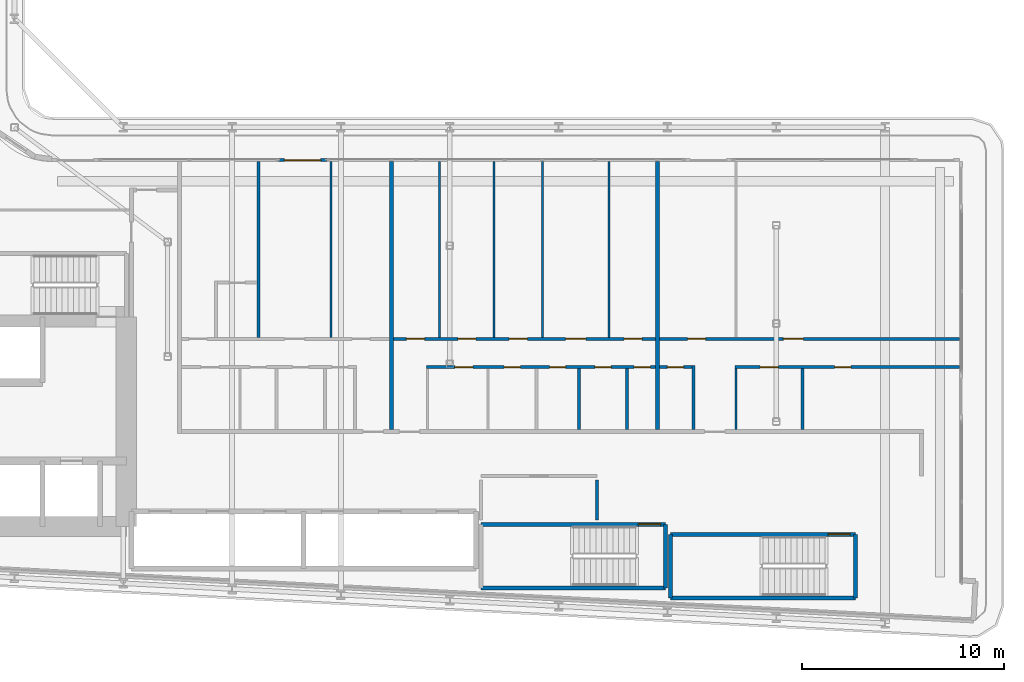
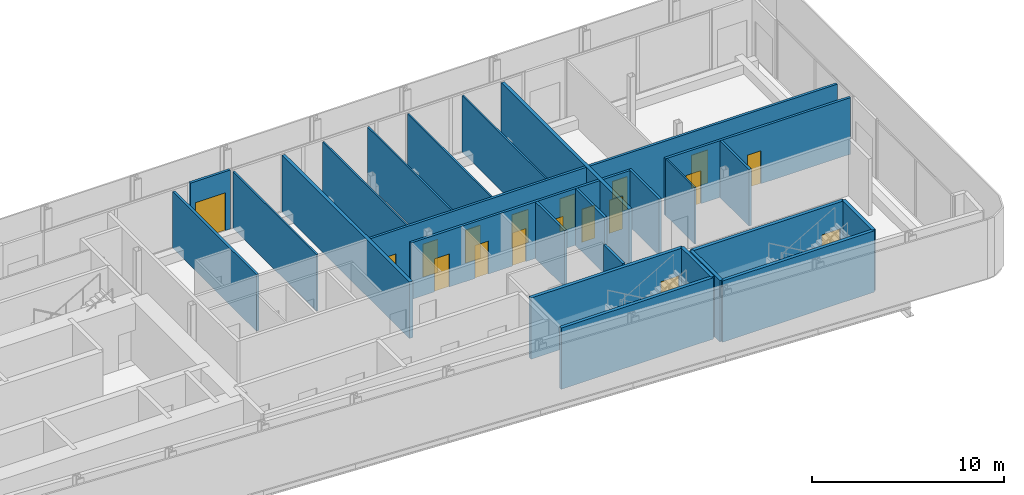
# One storey, part 15 of 28: 27 walls, 18 doors, 18 openings.
"""IFC4 building model written with IfcOpenShell, lengths in metres."""

import ifcopenshell
import ifcopenshell.guid

model = None  # the IFC model being written
_history = None  # IfcOwnerHistory: only IFC2X3 demands one
_inside = {}  # id of a spatial element -> (the spatial element, [elements in it])
_under = {}  # id of a project, library or spatial element -> (it, [spatial elements below it])
_declared = {}  # id of a project -> (the project, [libraries it declares])
_typed = {}  # id of a type object -> (the type object, [elements of that type])
_made_of = {}  # id of a material, layer set ... -> (it, [elements and type objects made of it])


def new_model(schema):
    """Start an empty IFC model of exactly this schema.

    Asked for "IFC4X3", IfcOpenShell would pick the latest addendum, in which some entities
    have other attributes; the version numbers below select the first issue.
    IFC2X3 requires an IfcOwnerHistory on every rooted entity: one is made here for all.
    """
    global model, _history
    if schema == "IFC4X3":
        model = ifcopenshell.file(schema_version=(4, 3, 0, 0))
    else:
        model = ifcopenshell.file(schema=schema)
    _inside.clear()
    _under.clear()
    _declared.clear()
    _typed.clear()
    _made_of.clear()
    _history = None
    if model.schema == "IFC2X3":
        org = make("IfcOrganization", Name="unknown")
        user = make(
            "IfcPersonAndOrganization",
            ThePerson=make("IfcPerson", FamilyName="unknown"),
            TheOrganization=org,
        )
        app = make(
            "IfcApplication",
            ApplicationDeveloper=org,
            Version="unknown",
            ApplicationFullName="unknown",
            ApplicationIdentifier="unknown",
        )
        _history = make(
            "IfcOwnerHistory",
            OwningUser=user,
            OwningApplication=app,
            ChangeAction="ADDED",
            CreationDate=0,
        )
    return model


def make(cls, **values):
    """One entity of the class cls with the attributes given. An attribute that is None is left unset."""
    return model.create_entity(
        cls, **{name: value for name, value in values.items() if value is not None}
    )


def rooted(cls, **values):
    """An entity with a GlobalId (a new one), such as an element, a storey or a relation."""
    return make(cls, GlobalId=ifcopenshell.guid.new(), OwnerHistory=_history, **values)


def si_unit(unit_type, name, prefix=None):
    """IfcSIUnit, for example si_unit("LENGTHUNIT", "METRE", prefix="MILLI")."""
    return make("IfcSIUnit", UnitType=unit_type, Prefix=prefix, Name=name)


def assignment(units):
    """IfcUnitAssignment: the units of a project."""
    return None if units is None else make("IfcUnitAssignment", Units=units)


def point(xyz):
    """IfcCartesianPoint."""
    return None if xyz is None else make("IfcCartesianPoint", Coordinates=xyz)


def direction(xyz):
    """IfcDirection."""
    return None if xyz is None else make("IfcDirection", DirectionRatios=xyz)


def frame(location, z_axis=None, x_axis=None):
    """IfcAxis2Placement3D, a coordinate frame: its origin and axes. An axis left out is left unset."""
    return make(
        "IfcAxis2Placement3D",
        Location=point(location),
        Axis=direction(z_axis),
        RefDirection=direction(x_axis),
    )


def frame_2d(location, x_axis=None):
    """IfcAxis2Placement2D, a coordinate frame in the plane: its origin and x axis."""
    return make(
        "IfcAxis2Placement2D", Location=point(location), RefDirection=direction(x_axis)
    )


def origin():
    """The frame at (0, 0, 0) with its axes left unset."""
    return frame((0.0, 0.0, 0.0))


def place(relative_to, where):
    """IfcLocalPlacement: puts the frame where relative to a parent placement (None: the world)."""
    return make(
        "IfcLocalPlacement", PlacementRelTo=relative_to, RelativePlacement=where
    )


def context(
    kind, dimensions, precision=None, world=None, true_north=None, identifier=None
):
    """IfcGeometricRepresentationContext, for example the 3D "Model" context."""
    return make(
        "IfcGeometricRepresentationContext",
        ContextIdentifier=identifier,
        ContextType=kind,
        CoordinateSpaceDimension=dimensions,
        Precision=precision,
        WorldCoordinateSystem=world,
        TrueNorth=true_north,
    )


def subcontext(parent, identifier, kind, view, scale=None):
    """IfcGeometricRepresentationSubContext, for example "Body" below "Model"."""
    return make(
        "IfcGeometricRepresentationSubContext",
        ContextIdentifier=identifier,
        ContextType=kind,
        ParentContext=parent,
        TargetScale=scale,
        TargetView=view,
    )


def project(units=None, contexts=None):
    """IfcProject with its units and contexts."""
    return rooted(
        "IfcProject",
        Name="project",
        RepresentationContexts=contexts,
        UnitsInContext=assignment(units),
    )


def spatial(cls, under=None, at=None, **own):
    """A site, building, storey or space (cls), placed at a placement, below another one or the project."""
    s = rooted(cls, ObjectPlacement=at, **own)
    if under is not None:
        _under.setdefault(under.id(), (under, []))[1].append(s)
    return s


def profile(cls, at=None, kind="AREA", **sizes):
    """A parametric profile (cls). Its sizes go by their IFC names, for example OverallWidth=200.0."""
    return make(cls, ProfileType=kind, Position=at, **sizes)


def rectangle(**sizes):
    """IfcRectangleProfileDef."""
    return profile("IfcRectangleProfileDef", **sizes)


def extrude(swept, where, along, depth):
    """IfcExtrudedAreaSolid: the profile swept, set in the frame where, extruded along a direction by depth."""
    return make(
        "IfcExtrudedAreaSolid",
        SweptArea=swept,
        Position=where,
        ExtrudedDirection=direction(along),
        Depth=depth,
    )


def shape(context_of_items, identifier, shape_type, items):
    """IfcShapeRepresentation: the items that make up one representation, for example the "Body"."""
    return make(
        "IfcShapeRepresentation",
        ContextOfItems=context_of_items,
        RepresentationIdentifier=identifier,
        RepresentationType=shape_type,
        Items=items,
    )


def source(mapping_origin, context_of_items, identifier, shape_type, items):
    """IfcRepresentationMap: a shape defined once, which mapped items show again and again."""
    return make(
        "IfcRepresentationMap",
        MappingOrigin=mapping_origin,
        MappedRepresentation=shape(context_of_items, identifier, shape_type, items),
    )


def transform(
    local_origin,
    x_axis=None,
    y_axis=None,
    z_axis=None,
    scale=None,
    scale2=None,
    scale3=None,
    uniform=True,
):
    """IfcCartesianTransformationOperator3D, or its non-uniform kind. x_axis, y_axis, z_axis: its Axis1, 2, 3."""
    if uniform:
        return make(
            "IfcCartesianTransformationOperator3D",
            Axis1=direction(x_axis),
            Axis2=direction(y_axis),
            LocalOrigin=point(local_origin),
            Scale=scale,
            Axis3=direction(z_axis),
        )
    return make(
        "IfcCartesianTransformationOperator3DnonUniform",
        Axis1=direction(x_axis),
        Axis2=direction(y_axis),
        LocalOrigin=point(local_origin),
        Scale=scale,
        Axis3=direction(z_axis),
        Scale2=scale2,
        Scale3=scale3,
    )


def mapped(mapping_source, mapping_target):
    """IfcMappedItem: shows the shape of a source again, moved by a transform."""
    return make(
        "IfcMappedItem", MappingSource=mapping_source, MappingTarget=mapping_target
    )


def material(Name=None, Category=None):
    """IfcMaterial."""
    return make("IfcMaterial", Name=Name, Category=Category)


def layer(
    of_material, thickness, ventilated=None, Name=None, Category=None, Priority=None
):
    """IfcMaterialLayer: one layer of a wall or slab, of a material (None: an air gap)."""
    return make(
        "IfcMaterialLayer",
        Material=of_material,
        LayerThickness=thickness,
        IsVentilated=ventilated,
        Name=Name,
        Category=Category,
        Priority=Priority,
    )


def layer_set(layers, Name=None):
    """IfcMaterialLayerSet."""
    return make("IfcMaterialLayerSet", MaterialLayers=layers, LayerSetName=Name)


def made_of(thing, what):
    """Note that an element or type object is made of a material, layer set ...; save() writes the relation."""
    if what is not None:
        _made_of.setdefault(what.id(), (what, []))[1].append(thing)
    return thing


def type_object(cls, material=None, **own):
    """A type object (cls), such as IfcWallType, which elements share."""
    return made_of(rooted(cls, **own), material)


def element(
    cls,
    number,
    at=None,
    inside=None,
    cuts=None,
    type_object=None,
    material=None,
    context=None,
    identifier="Body",
    shape_type=None,
    held_by="IfcProductDefinitionShape",
    body=None,
    shapes=None,
    **own,
):
    """One element of the class cls, such as IfcWall. Its Tag is "e" and its number.

    at: its placement. inside: the storey or other place that contains it. cuts: it is an
    opening in that element (IfcRelVoidsElement). A single representation is given by context,
    identifier, shape_type and body (its items); several are given by shapes. held_by: the class
    of the entity that holds the representations. save() writes the other relations.
    """
    e = rooted(cls, Tag="e%d" % number, ObjectPlacement=at, **own)
    if body is not None:
        shapes = [shape(context, identifier, shape_type, body)]
    if shapes is not None:
        e.Representation = make(held_by, Representations=shapes)
    if inside is not None:
        _inside.setdefault(inside.id(), (inside, []))[1].append(e)
    if cuts is not None:
        rooted(
            "IfcRelVoidsElement", RelatingBuildingElement=cuts, RelatedOpeningElement=e
        )
    if type_object is not None:
        _typed.setdefault(type_object.id(), (type_object, []))[1].append(e)
    return made_of(e, material)


def fill(opening, filler):
    """IfcRelFillsElement: the door or window that sits in an opening."""
    return rooted(
        "IfcRelFillsElement",
        RelatingOpeningElement=opening,
        RelatedBuildingElement=filler,
    )


def aggregate(whole, parts):
    """IfcRelAggregates: a whole, such as a stair, and the parts it consists of."""
    return rooted("IfcRelAggregates", RelatingObject=whole, RelatedObjects=parts)


def save(model, path):
    """Write the relations noted so far, then the file.

    IfcRelAggregates (storeys below a building ...), IfcRelContainedInSpatialStructure (elements
    in a storey), IfcRelDefinesByType, IfcRelAssociatesMaterial and IfcRelDeclares: one each for
    every whole, place, type object, material and project.
    """
    for whole, parts in _under.values():
        aggregate(whole, parts)
    for where, things in _inside.values():
        rooted(
            "IfcRelContainedInSpatialStructure",
            RelatedElements=things,
            RelatingStructure=where,
        )
    for kind, things in _typed.values():
        rooted("IfcRelDefinesByType", RelatedObjects=things, RelatingType=kind)
    for what, things in _made_of.values():
        rooted("IfcRelAssociatesMaterial", RelatedObjects=things, RelatingMaterial=what)
    for by, libraries in _declared.values():
        rooted("IfcRelDeclares", RelatingContext=by, RelatedDefinitions=libraries)
    model.write(path)


model = new_model("IFC4")

# Units and contexts
model_context = context("Model", 3, precision=1e-05, world=origin(), true_north=direction((0.0, 1.0)))
body_context = subcontext(model_context, "Body", "Model", "MODEL_VIEW")
ifc_project = project(units=[si_unit("LENGTHUNIT", "METRE"), si_unit("AREAUNIT", "SQUARE_METRE"), si_unit("VOLUMEUNIT", "CUBIC_METRE"), si_unit("PLANEANGLEUNIT", "RADIAN"), si_unit("MASSUNIT", "GRAM", prefix="KILO")], contexts=[model_context])

# Site, building, storey
site_placement = place(None, origin())
site = spatial("IfcSite", under=ifc_project, at=site_placement, CompositionType="ELEMENT")
building_placement = place(site_placement, origin())
building = spatial("IfcBuilding", under=site, at=building_placement, Name="Kheshtan School and Residences Tower", CompositionType="ELEMENT")
storey_placement = place(building_placement, frame((0.0, 0.0, 42.199951171875)))
storey = spatial("IfcBuildingStorey", under=building, at=storey_placement, Name="L09", CompositionType="ELEMENT", Elevation=42.199951171875)

# Wall, opening, door
ifc_material_1 = material(Name="Aluminium frame wall with insulated infill", Category="aluminium")
ifc_layer_1 = layer(ifc_material_1, 0.14990234375)
ifc_layer_set_1 = layer_set([ifc_layer_1], Name="Glazing frame wall 150")
wall_type_1 = type_object("IfcWallType", Name="Glazing frame wall 150", PredefinedType="SOLIDWALL", material=ifc_layer_set_1)
wall_1_placement = place(storey_placement, frame((60.697021484375, 43.97509765625, 0.0), z_axis=(0.0, 0.0, 1.0), x_axis=(1.0, 0.0, 0.0)))
wall_1 = element("IfcWall", 1, at=wall_1_placement, inside=storey, type_object=wall_type_1, Name="Balcony door wall L09 12.2", PredefinedType="SOLIDWALL", context=body_context, shape_type="SweptSolid", body=[
    extrude(rectangle(XDim=2.39990234375, YDim=0.14990234375, at=frame_2d((1.199951171875, 0.0))), origin(), (0.0, 0.0, 1.0), 3.75),
])
opening_1_placement = place(wall_1_placement, frame((0.300048828125, 0.0, 0.0)))
opening_1 = element("IfcOpeningElement", 2, at=opening_1_placement, cuts=wall_1, Name="Opening BD", PredefinedType="OPENING", context=body_context, shape_type="SweptSolid", body=[
    extrude(rectangle(XDim=1.800048828125, YDim=2.39990234375, at=frame_2d((0.89990234375, 1.199951171875))), frame((0.0, 0.0849609375, 0.0), z_axis=(0.0, -1.0, 0.0), x_axis=(1.0, 0.0, 0.0)), (0.0, 0.0, 1.0), 0.169921875),
])
ifc_material_2 = material(Name="Clear low-e glass in thermally broken aluminium frame", Category="aluminium")
door_type_1 = type_object("IfcDoorType", Name="Balcony sliding door", OperationType="SLIDING_TO_LEFT", PredefinedType="DOOR", material=ifc_material_2)
shared_shape_1 = source(origin(), body_context, "Body", "SweptSolid", [
    extrude(rectangle(XDim=1.800048828125, YDim=2.39990234375, at=frame_2d((0.89990234375, 1.199951171875))), frame((0.0, 0.02490234375, 0.0), z_axis=(0.0, -1.0, 0.0), x_axis=(1.0, 0.0, 0.0)), (0.0, 0.0, 1.0), 0.050048828125),
])
door_1_placement = place(opening_1_placement, origin())
door_1 = element("IfcDoor", 3, at=door_1_placement, inside=storey, type_object=door_type_1, Name="Balcony door L09 12.2", OperationType="SLIDING_TO_LEFT", OverallHeight=2.39990234375, OverallWidth=1.800048828125, PredefinedType="DOOR", context=body_context, shape_type="MappedRepresentation", body=[
    mapped(shared_shape_1, transform((0.0, 0.0, 0.0), x_axis=(1.0, 0.0, 0.0), y_axis=(0.0, 1.0, 0.0), z_axis=(0.0, 0.0, 1.0), scale=1.0)),
])
fill(opening_1, door_1)

# Walls
ifc_material_3 = material(Name="Gypsum board on steel studs", Category="steel")
ifc_layer_2 = layer(ifc_material_3, 0.10009765625)
ifc_layer_set_2 = layer_set([ifc_layer_2], Name="Gypsum partition 100")
wall_type_2 = type_object("IfcWallType", Name="Gypsum partition 100", PredefinedType="PARTITIONING", material=ifc_layer_set_2)
for number, where, z_axis, x_axis, name in (
    (4, (63.300048828125, 35.175048828125, 0.0), (0.0, 0.0, 1.0), (0.0, 1.0, 0.0), "Partition L09-056"),
    (5, (68.699951171875, 35.175048828125, 0.0), (0.0, 0.0, 1.0), (0.0, 1.0, 0.0), "Partition L09-062"),
    (6, (71.39990234375, 35.175048828125, 0.0), (0.0, 0.0, 1.0), (0.0, 1.0, 0.0), "Partition L09-064"),
    (7, (73.800048828125, 35.175048828125, 0.0), (0.0, 0.0, 1.0), (0.0, 1.0, 0.0), "Partition L09-066"),
    (8, (77.10009765625, 35.175048828125, 0.0), (0.0, 0.0, 1.0), (0.0, 1.0, 0.0), "Partition L09-068"),
):
    element("IfcWall", number, at=place(storey_placement, frame(where, z_axis=z_axis, x_axis=x_axis)), inside=storey, type_object=wall_type_2, Name=name, PredefinedType="PARTITIONING", context=body_context, shape_type="SweptSolid", body=[
        extrude(rectangle(XDim=8.724853515625, YDim=0.10009765625, at=frame_2d((4.3623046875, 0.0))), origin(), (0.0, 0.0, 1.0), 3.60009765625),
    ])
wall_2_placement = place(storey_placement, frame((83.39990234375, 30.60009765625, 0.0), z_axis=(0.0, 0.0, 1.0), x_axis=(0.0, 1.0, 0.0)))
element("IfcWall", 9, at=wall_2_placement, inside=storey, type_object=wall_type_2, Name="Partition L09-075", PredefinedType="PARTITIONING", context=body_context, shape_type="SweptSolid", body=[
    extrude(rectangle(XDim=3.02490234375, YDim=0.10009765625, at=frame_2d((1.512451171875, 0.0))), origin(), (0.0, 0.0, 1.0), 3.60009765625),
])
ifc_material_4 = material(Name="Fire-board shaft wall system")
ifc_layer_3 = layer(ifc_material_4, 0.14990234375)
ifc_layer_set_3 = layer_set([ifc_layer_3], Name="Service room wall 150")
wall_type_3 = type_object("IfcWallType", Name="Service room wall 150", PredefinedType="PARTITIONING", material=ifc_layer_set_3)
wall_3_placement = place(storey_placement, frame((76.510009765625, 26.1201171875, 0.0), z_axis=(0.0, 0.0, 1.0), x_axis=(0.0, 1.0, 0.0)))
element("IfcWall", 10, at=wall_3_placement, inside=storey, type_object=wall_type_3, Name="Service room wall", PredefinedType="PARTITIONING", context=body_context, shape_type="SweptSolid", body=[
    extrude(rectangle(XDim=1.98486328125, YDim=0.14990234375, at=frame_2d((0.992431640625, 0.0))), origin(), (0.0, 0.0, 1.0), 3.900146484375),
])
ifc_material_5 = material(Name="Concrete C40/50", Category="concrete")
ifc_layer_4 = layer(ifc_material_5, 0.199951171875)
ifc_layer_set_4 = layer_set([ifc_layer_4], Name="Stair enclosure wall 200 Concrete C40/50")
wall_type_4 = type_object("IfcWallType", Name="Stair enclosure wall 200 Concrete C40/50", PredefinedType="SHEAR", material=ifc_layer_set_4)
wall_4_placement = place(storey_placement, frame((80.159912109375, 22.25, 0.0), z_axis=(0.0, 0.0, 1.0), x_axis=(1.0, 0.0, 0.0)))
element("IfcWall", 11, at=wall_4_placement, inside=storey, type_object=wall_type_4, Name="Stair enclosure wall ST4", PredefinedType="SHEAR", context=body_context, shape_type="SweptSolid", body=[
    extrude(rectangle(XDim=9.16015625, YDim=0.199951171875, at=frame_2d((4.580078125, 0.0))), origin(), (0.0, 0.0, 1.0), 3.900146484375),
])

# Wall, opening, door
wall_5_placement = place(storey_placement, frame((80.159912109375, 25.39990234375, 0.0), z_axis=(0.0, 0.0, 1.0), x_axis=(1.0, 0.0, 0.0)))
wall_5 = element("IfcWall", 12, at=wall_5_placement, inside=storey, type_object=wall_type_4, Name="Stair enclosure wall ST4", PredefinedType="SHEAR", context=body_context, shape_type="SweptSolid", body=[
    extrude(rectangle(XDim=9.16015625, YDim=0.199951171875, at=frame_2d((4.580078125, 0.0))), origin(), (0.0, 0.0, 1.0), 3.900146484375),
])
opening_2_placement = place(wall_5_placement, frame((7.81005859375, 0.0, 0.0)))
opening_2 = element("IfcOpeningElement", 13, at=opening_2_placement, cuts=wall_5, Name="Opening ST4D", PredefinedType="OPENING", context=body_context, shape_type="SweptSolid", body=[
    extrude(rectangle(XDim=1.10009765625, YDim=2.199951171875, at=frame_2d((0.550048828125, 1.10009765625))), frame((0.0, 0.10986328125, 0.0), z_axis=(0.0, -1.0, 0.0), x_axis=(1.0, 0.0, 0.0)), (0.0, 0.0, 1.0), 0.219970703125),
])
ifc_material_6 = material(Name="Steel door leaf, galvanised", Category="steel")
door_type_2 = type_object("IfcDoorType", Name="Stair door 1100 steel 90 min", OperationType="SINGLE_SWING_LEFT", PredefinedType="DOOR", material=ifc_material_6)
shared_shape_2 = source(origin(), body_context, "Body", "SweptSolid", [
    extrude(rectangle(XDim=1.10009765625, YDim=2.199951171875, at=frame_2d((0.550048828125, 1.10009765625))), frame((0.0, 0.02490234375, 0.0), z_axis=(0.0, -1.0, 0.0), x_axis=(1.0, 0.0, 0.0)), (0.0, 0.0, 1.0), 0.050048828125),
])
door_2_placement = place(opening_2_placement, origin())
door_2 = element("IfcDoor", 14, at=door_2_placement, inside=storey, type_object=door_type_2, Name="Stair ST4 door", OperationType="SINGLE_SWING_LEFT", OverallHeight=2.199951171875, OverallWidth=1.10009765625, PredefinedType="DOOR", context=body_context, shape_type="MappedRepresentation", body=[
    mapped(shared_shape_2, transform((0.0, 0.0, 0.0), x_axis=(1.0, 0.0, 0.0), y_axis=(0.0, 1.0, 0.0), z_axis=(0.0, 0.0, 1.0), scale=1.0)),
])
fill(opening_2, door_2)

# Walls
for number, where, z_axis, x_axis, name in (
    (15, (80.159912109375, 22.25, 0.0), (0.0, 0.0, 1.0), (0.0, 1.0, 0.0), "Stair enclosure wall ST4"),
    (16, (89.320068359375, 22.25, 0.0), (0.0, 0.0, 1.0), (0.0, 1.0, 0.0), "Stair enclosure wall ST4"),
):
    element("IfcWall", number, at=place(storey_placement, frame(where, z_axis=z_axis, x_axis=x_axis)), inside=storey, type_object=wall_type_4, Name=name, PredefinedType="SHEAR", context=body_context, shape_type="SweptSolid", body=[
        extrude(rectangle(XDim=3.14990234375, YDim=0.199951171875, at=frame_2d((1.574951171875, 0.0))), origin(), (0.0, 0.0, 1.0), 3.900146484375),
    ])
wall_6_placement = place(storey_placement, frame((70.75, 22.75, 0.0), z_axis=(0.0, 0.0, 1.0), x_axis=(1.0, 0.0, 0.0)))
element("IfcWall", 17, at=wall_6_placement, inside=storey, type_object=wall_type_4, Name="Stair enclosure wall ST5", PredefinedType="SHEAR", context=body_context, shape_type="SweptSolid", body=[
    extrude(rectangle(XDim=9.159912109375, YDim=0.199951171875, at=frame_2d((4.580078125, 0.0))), origin(), (0.0, 0.0, 1.0), 3.900146484375),
])

# Wall, opening, door
wall_7_placement = place(storey_placement, frame((70.75, 25.89990234375, 0.0), z_axis=(0.0, 0.0, 1.0), x_axis=(1.0, 0.0, 0.0)))
wall_7 = element("IfcWall", 18, at=wall_7_placement, inside=storey, type_object=wall_type_4, Name="Stair enclosure wall ST5", PredefinedType="SHEAR", context=body_context, shape_type="SweptSolid", body=[
    extrude(rectangle(XDim=9.159912109375, YDim=0.199951171875, at=frame_2d((4.580078125, 0.0))), origin(), (0.0, 0.0, 1.0), 3.900146484375),
])
opening_3_placement = place(wall_7_placement, frame((7.81005859375, 0.0, 0.0)))
opening_3 = element("IfcOpeningElement", 19, at=opening_3_placement, cuts=wall_7, Name="Opening ST5D", PredefinedType="OPENING", context=body_context, shape_type="SweptSolid", body=[
    extrude(rectangle(XDim=1.10009765625, YDim=2.199951171875, at=frame_2d((0.550048828125, 1.10009765625))), frame((0.0, 0.10986328125, 0.0), z_axis=(0.0, -1.0, 0.0), x_axis=(1.0, 0.0, 0.0)), (0.0, 0.0, 1.0), 0.219970703125),
])
door_3_placement = place(opening_3_placement, origin())
door_3 = element("IfcDoor", 20, at=door_3_placement, inside=storey, type_object=door_type_2, Name="Stair ST5 door", OperationType="SINGLE_SWING_LEFT", OverallHeight=2.199951171875, OverallWidth=1.10009765625, PredefinedType="DOOR", context=body_context, shape_type="MappedRepresentation", body=[
    mapped(shared_shape_2, transform((0.0, 0.0, 0.0), x_axis=(1.0, 0.0, 0.0), y_axis=(0.0, 1.0, 0.0), z_axis=(0.0, 0.0, 1.0), scale=1.0)),
])
fill(opening_3, door_3)

# Walls
wall_8_placement = place(storey_placement, frame((79.909912109375, 22.75, 0.0), z_axis=(0.0, 0.0, 1.0), x_axis=(0.0, 1.0, 0.0)))
element("IfcWall", 21, at=wall_8_placement, inside=storey, type_object=wall_type_4, Name="Stair enclosure wall ST5", PredefinedType="SHEAR", context=body_context, shape_type="SweptSolid", body=[
    extrude(rectangle(XDim=3.14990234375, YDim=0.199951171875, at=frame_2d((1.574951171875, 0.0))), origin(), (0.0, 0.0, 1.0), 3.900146484375),
])
ifc_material_7 = material(Name="Twin gypsum board on steel studs with mineral wool", Category="steel")
ifc_layer_5 = layer(ifc_material_7, 0.199951171875)
ifc_layer_set_5 = layer_set([ifc_layer_5], Name="Unit demising wall 200")
wall_type_5 = type_object("IfcWallType", Name="Unit demising wall 200", PredefinedType="PARTITIONING", material=ifc_layer_set_5)
for number, where, z_axis, x_axis, name in (
    (22, (66.300048828125, 30.60009765625, 0.0), (0.0, 0.0, 1.0), (0.0, 1.0, 0.0), "Partition L09-058"),
    (23, (79.5, 30.60009765625, 0.0), (0.0, 0.0, 1.0), (0.0, 1.0, 0.0), "Partition L09-070"),
):
    element("IfcWall", number, at=place(storey_placement, frame(where, z_axis=z_axis, x_axis=x_axis)), inside=storey, type_object=wall_type_5, Name=name, PredefinedType="PARTITIONING", context=body_context, shape_type="SweptSolid", body=[
        extrude(rectangle(XDim=13.2998046875, YDim=0.199951171875, at=frame_2d((6.64990234375, 0.0))), origin(), (0.0, 0.0, 1.0), 3.60009765625),
    ])
ifc_material_8 = material(Name="Moisture-resistant gypsum board on steel studs", Category="steel")
ifc_layer_6 = layer(ifc_material_8, 0.14990234375)
ifc_layer_set_6 = layer_set([ifc_layer_6], Name="Wet-room partition 150")
wall_type_6 = type_object("IfcWallType", Name="Wet-room partition 150", PredefinedType="PARTITIONING", material=ifc_layer_set_6)
wall_9_placement = place(storey_placement, frame((59.699951171875, 35.175048828125, 0.0), z_axis=(0.0, 0.0, 1.0), x_axis=(0.0, 1.0, 0.0)))
element("IfcWall", 24, at=wall_9_placement, inside=storey, type_object=wall_type_6, Name="Partition L09-053", PredefinedType="PARTITIONING", context=body_context, shape_type="SweptSolid", body=[
    extrude(rectangle(XDim=8.724853515625, YDim=0.14990234375, at=frame_2d((4.3623046875, 0.0))), origin(), (0.0, 0.0, 1.0), 3.60009765625),
])

# Wall, openings, doors
wall_10_placement = place(storey_placement, frame((66.39990234375, 35.10009765625, 0.0), z_axis=(0.0, 0.0, 1.0), x_axis=(1.0, 0.0, 0.0)))
wall_10 = element("IfcWall", 25, at=wall_10_placement, inside=storey, type_object=wall_type_6, Name="Partition L09-059", PredefinedType="PARTITIONING", context=body_context, shape_type="SweptSolid", body=[
    extrude(rectangle(XDim=13.0, YDim=0.14990234375, at=frame_2d((6.5, 0.0))), origin(), (0.0, 0.0, 1.0), 3.60009765625),
])
opening_4_placement = place(wall_10_placement, frame((0.64990234375, 0.0, 0.0)))
opening_4 = element("IfcOpeningElement", 26, at=opening_4_placement, cuts=wall_10, Name="Opening D08-012", PredefinedType="OPENING", context=body_context, shape_type="SweptSolid", body=[
    extrude(rectangle(XDim=0.89990234375, YDim=2.10009765625, at=frame_2d((0.449951171875, 1.050048828125))), frame((0.0, 0.0849609375, 0.0), z_axis=(0.0, -1.0, 0.0), x_axis=(1.0, 0.0, 0.0)), (0.0, 0.0, 1.0), 0.169921875),
])
opening_5_placement = place(wall_10_placement, frame((11.449951171875, 0.0, 0.0)))
opening_5 = element("IfcOpeningElement", 27, at=opening_5_placement, cuts=wall_10, Name="Opening D08-013", PredefinedType="OPENING", context=body_context, shape_type="SweptSolid", body=[
    extrude(rectangle(XDim=0.89990234375, YDim=2.10009765625, at=frame_2d((0.449951171875, 1.050048828125))), frame((0.0, 0.0849609375, 0.0), z_axis=(0.0, -1.0, 0.0), x_axis=(1.0, 0.0, 0.0)), (0.0, 0.0, 1.0), 0.169921875),
])
opening_6_placement = place(wall_10_placement, frame((8.550048828125, 0.0, 0.0)))
opening_6 = element("IfcOpeningElement", 28, at=opening_6_placement, cuts=wall_10, Name="Opening D08-017", PredefinedType="OPENING", context=body_context, shape_type="SweptSolid", body=[
    extrude(rectangle(XDim=1.0, YDim=2.10009765625, at=frame_2d((0.5, 1.050048828125))), frame((0.0, 0.0849609375, 0.0), z_axis=(0.0, -1.0, 0.0), x_axis=(1.0, 0.0, 0.0)), (0.0, 0.0, 1.0), 0.169921875),
])
opening_7_placement = place(wall_10_placement, frame((5.75, 0.0, 0.0)))
opening_7 = element("IfcOpeningElement", 29, at=opening_7_placement, cuts=wall_10, Name="Opening D08-018", PredefinedType="OPENING", context=body_context, shape_type="SweptSolid", body=[
    extrude(rectangle(XDim=0.89990234375, YDim=2.10009765625, at=frame_2d((0.449951171875, 1.050048828125))), frame((0.0, 0.0849609375, 0.0), z_axis=(0.0, -1.0, 0.0), x_axis=(1.0, 0.0, 0.0)), (0.0, 0.0, 1.0), 0.169921875),
])
opening_8_placement = place(wall_10_placement, frame((3.199951171875, 0.0, 0.0)))
opening_8 = element("IfcOpeningElement", 30, at=opening_8_placement, cuts=wall_10, Name="Opening D08-019", PredefinedType="OPENING", context=body_context, shape_type="SweptSolid", body=[
    extrude(rectangle(XDim=0.89990234375, YDim=2.10009765625, at=frame_2d((0.449951171875, 1.050048828125))), frame((0.0, 0.0849609375, 0.0), z_axis=(0.0, -1.0, 0.0), x_axis=(1.0, 0.0, 0.0)), (0.0, 0.0, 1.0), 0.169921875),
])
ifc_material_9 = material(Name="Veneered timber door leaf", Category="wood")
door_type_3 = type_object("IfcDoorType", Name="Door 1000 x 2100", OperationType="SINGLE_SWING_LEFT", PredefinedType="DOOR", material=ifc_material_9)
shared_shape_3 = source(origin(), body_context, "Body", "SweptSolid", [
    extrude(rectangle(XDim=1.0, YDim=2.10009765625, at=frame_2d((0.5, 1.050048828125))), frame((0.0, 0.02490234375, 0.0), z_axis=(0.0, -1.0, 0.0), x_axis=(1.0, 0.0, 0.0)), (0.0, 0.0, 1.0), 0.050048828125),
])
door_4_placement = place(opening_6_placement, origin())
door_4 = element("IfcDoor", 31, at=door_4_placement, inside=storey, type_object=door_type_3, Name="Door D08-017", OperationType="SINGLE_SWING_LEFT", OverallHeight=2.10009765625, OverallWidth=1.0, PredefinedType="DOOR", context=body_context, shape_type="MappedRepresentation", body=[
    mapped(shared_shape_3, transform((0.0, 0.0, 0.0), x_axis=(1.0, 0.0, 0.0), y_axis=(0.0, 1.0, 0.0), z_axis=(0.0, 0.0, 1.0), scale=1.0)),
])
fill(opening_6, door_4)
door_type_4 = type_object("IfcDoorType", Name="Door 900 x 2100", OperationType="SINGLE_SWING_LEFT", PredefinedType="DOOR", material=ifc_material_9)
shared_shape_4 = source(origin(), body_context, "Body", "SweptSolid", [
    extrude(rectangle(XDim=0.89990234375, YDim=2.10009765625, at=frame_2d((0.449951171875, 1.050048828125))), frame((0.0, 0.02490234375, 0.0), z_axis=(0.0, -1.0, 0.0), x_axis=(1.0, 0.0, 0.0)), (0.0, 0.0, 1.0), 0.050048828125),
])
door_5_placement = place(opening_4_placement, origin())
door_5 = element("IfcDoor", 32, at=door_5_placement, inside=storey, type_object=door_type_4, Name="Door D08-012", OperationType="SINGLE_SWING_RIGHT", OverallHeight=2.10009765625, OverallWidth=0.89990234375, PredefinedType="DOOR", context=body_context, shape_type="MappedRepresentation", body=[
    mapped(shared_shape_4, transform((0.0, 0.0, 0.0), x_axis=(1.0, 0.0, 0.0), y_axis=(0.0, 1.0, 0.0), z_axis=(0.0, 0.0, 1.0), scale=1.0)),
])
fill(opening_4, door_5)
door_6_placement = place(opening_5_placement, origin())
door_6 = element("IfcDoor", 33, at=door_6_placement, inside=storey, type_object=door_type_4, Name="Door D08-013", OperationType="SINGLE_SWING_RIGHT", OverallHeight=2.10009765625, OverallWidth=0.89990234375, PredefinedType="DOOR", context=body_context, shape_type="MappedRepresentation", body=[
    mapped(shared_shape_4, transform((0.0, 0.0, 0.0), x_axis=(1.0, 0.0, 0.0), y_axis=(0.0, 1.0, 0.0), z_axis=(0.0, 0.0, 1.0), scale=1.0)),
])
fill(opening_5, door_6)
door_7_placement = place(opening_7_placement, origin())
door_7 = element("IfcDoor", 34, at=door_7_placement, inside=storey, type_object=door_type_4, Name="Door D08-018", OperationType="SINGLE_SWING_RIGHT", OverallHeight=2.10009765625, OverallWidth=0.89990234375, PredefinedType="DOOR", context=body_context, shape_type="MappedRepresentation", body=[
    mapped(shared_shape_4, transform((0.0, 0.0, 0.0), x_axis=(1.0, 0.0, 0.0), y_axis=(0.0, 1.0, 0.0), z_axis=(0.0, 0.0, 1.0), scale=1.0)),
])
fill(opening_7, door_7)
door_8_placement = place(opening_8_placement, origin())
door_8 = element("IfcDoor", 35, at=door_8_placement, inside=storey, type_object=door_type_4, Name="Door D08-019", OperationType="SINGLE_SWING_RIGHT", OverallHeight=2.10009765625, OverallWidth=0.89990234375, PredefinedType="DOOR", context=body_context, shape_type="MappedRepresentation", body=[
    mapped(shared_shape_4, transform((0.0, 0.0, 0.0), x_axis=(1.0, 0.0, 0.0), y_axis=(0.0, 1.0, 0.0), z_axis=(0.0, 0.0, 1.0), scale=1.0)),
])
fill(opening_8, door_8)

wall_11_placement = place(storey_placement, frame((68.050048828125, 33.699951171875, 0.0), z_axis=(0.0, 0.0, 1.0), x_axis=(1.0, 0.0, 0.0)))
wall_11 = element("IfcWall", 36, at=wall_11_placement, inside=storey, type_object=wall_type_6, Name="Partition L09-060", PredefinedType="PARTITIONING", context=body_context, shape_type="SweptSolid", body=[
    extrude(rectangle(XDim=11.349853515625, YDim=0.14990234375, at=frame_2d((5.6748046875, 0.0))), origin(), (0.0, 0.0, 1.0), 3.60009765625),
])
opening_9_placement = place(wall_11_placement, frame((6.10009765625, 0.0, 0.0)))
opening_9 = element("IfcOpeningElement", 37, at=opening_9_placement, cuts=wall_11, Name="Opening D08-010", PredefinedType="OPENING", context=body_context, shape_type="SweptSolid", body=[
    extrude(rectangle(XDim=0.800048828125, YDim=2.10009765625, at=frame_2d((0.39990234375, 1.050048828125))), frame((0.0, 0.0849609375, 0.0), z_axis=(0.0, -1.0, 0.0), x_axis=(1.0, 0.0, 0.0)), (0.0, 0.0, 1.0), 0.169921875),
])
opening_10_placement = place(wall_11_placement, frame((8.35009765625, 0.0, 0.0)))
opening_10 = element("IfcOpeningElement", 38, at=opening_10_placement, cuts=wall_11, Name="Opening D08-011", PredefinedType="OPENING", context=body_context, shape_type="SweptSolid", body=[
    extrude(rectangle(XDim=0.800048828125, YDim=2.10009765625, at=frame_2d((0.39990234375, 1.050048828125))), frame((0.0, 0.0849609375, 0.0), z_axis=(0.0, -1.0, 0.0), x_axis=(1.0, 0.0, 0.0)), (0.0, 0.0, 1.0), 0.169921875),
])
opening_11_placement = place(wall_11_placement, frame((3.85009765625, 0.0, 0.0)))
opening_11 = element("IfcOpeningElement", 39, at=opening_11_placement, cuts=wall_11, Name="Opening D08-014", PredefinedType="OPENING", context=body_context, shape_type="SweptSolid", body=[
    extrude(rectangle(XDim=0.800048828125, YDim=2.10009765625, at=frame_2d((0.39990234375, 1.050048828125))), frame((0.0, 0.0849609375, 0.0), z_axis=(0.0, -1.0, 0.0), x_axis=(1.0, 0.0, 0.0)), (0.0, 0.0, 1.0), 0.169921875),
])
opening_12_placement = place(wall_11_placement, frame((1.39990234375, 0.0, 0.0)))
opening_12 = element("IfcOpeningElement", 40, at=opening_12_placement, cuts=wall_11, Name="Opening D08-016", PredefinedType="OPENING", context=body_context, shape_type="SweptSolid", body=[
    extrude(rectangle(XDim=0.89990234375, YDim=2.10009765625, at=frame_2d((0.449951171875, 1.050048828125))), frame((0.0, 0.0849609375, 0.0), z_axis=(0.0, -1.0, 0.0), x_axis=(1.0, 0.0, 0.0)), (0.0, 0.0, 1.0), 0.169921875),
])
opening_13_placement = place(wall_11_placement, frame((10.300048828125, 0.0, 0.0)))
opening_13 = element("IfcOpeningElement", 41, at=opening_13_placement, cuts=wall_11, Name="Opening D08-020", PredefinedType="OPENING", context=body_context, shape_type="SweptSolid", body=[
    extrude(rectangle(XDim=0.800048828125, YDim=2.10009765625, at=frame_2d((0.39990234375, 1.050048828125))), frame((0.0, 0.0849609375, 0.0), z_axis=(0.0, -1.0, 0.0), x_axis=(1.0, 0.0, 0.0)), (0.0, 0.0, 1.0), 0.169921875),
])
door_type_5 = type_object("IfcDoorType", Name="Door 800 x 2100", OperationType="SINGLE_SWING_LEFT", PredefinedType="DOOR", material=ifc_material_9)
shared_shape_5 = source(origin(), body_context, "Body", "SweptSolid", [
    extrude(rectangle(XDim=0.800048828125, YDim=2.10009765625, at=frame_2d((0.39990234375, 1.050048828125))), frame((0.0, 0.02490234375, 0.0), z_axis=(0.0, -1.0, 0.0), x_axis=(1.0, 0.0, 0.0)), (0.0, 0.0, 1.0), 0.050048828125),
])
door_9_placement = place(opening_9_placement, origin())
door_9 = element("IfcDoor", 42, at=door_9_placement, inside=storey, type_object=door_type_5, Name="Door D08-010", OperationType="SINGLE_SWING_RIGHT", OverallHeight=2.10009765625, OverallWidth=0.800048828125, PredefinedType="DOOR", context=body_context, shape_type="MappedRepresentation", body=[
    mapped(shared_shape_5, transform((0.0, 0.0, 0.0), x_axis=(1.0, 0.0, 0.0), y_axis=(0.0, 1.0, 0.0), z_axis=(0.0, 0.0, 1.0), scale=1.0)),
])
fill(opening_9, door_9)
door_10_placement = place(opening_10_placement, origin())
door_10 = element("IfcDoor", 43, at=door_10_placement, inside=storey, type_object=door_type_5, Name="Door D08-011", OperationType="SINGLE_SWING_LEFT", OverallHeight=2.10009765625, OverallWidth=0.800048828125, PredefinedType="DOOR", context=body_context, shape_type="MappedRepresentation", body=[
    mapped(shared_shape_5, transform((0.0, 0.0, 0.0), x_axis=(1.0, 0.0, 0.0), y_axis=(0.0, 1.0, 0.0), z_axis=(0.0, 0.0, 1.0), scale=1.0)),
])
fill(opening_10, door_10)
door_11_placement = place(opening_11_placement, origin())
door_11 = element("IfcDoor", 44, at=door_11_placement, inside=storey, type_object=door_type_5, Name="Door D08-014", OperationType="SINGLE_SWING_LEFT", OverallHeight=2.10009765625, OverallWidth=0.800048828125, PredefinedType="DOOR", context=body_context, shape_type="MappedRepresentation", body=[
    mapped(shared_shape_5, transform((0.0, 0.0, 0.0), x_axis=(1.0, 0.0, 0.0), y_axis=(0.0, 1.0, 0.0), z_axis=(0.0, 0.0, 1.0), scale=1.0)),
])
fill(opening_11, door_11)
door_12_placement = place(opening_13_placement, origin())
door_12 = element("IfcDoor", 45, at=door_12_placement, inside=storey, type_object=door_type_5, Name="Door D08-020", OperationType="SINGLE_SWING_RIGHT", OverallHeight=2.10009765625, OverallWidth=0.800048828125, PredefinedType="DOOR", context=body_context, shape_type="MappedRepresentation", body=[
    mapped(shared_shape_5, transform((0.0, 0.0, 0.0), x_axis=(1.0, 0.0, 0.0), y_axis=(0.0, 1.0, 0.0), z_axis=(0.0, 0.0, 1.0), scale=1.0)),
])
fill(opening_13, door_12)
door_13_placement = place(opening_12_placement, origin())
door_13 = element("IfcDoor", 46, at=door_13_placement, inside=storey, type_object=door_type_4, Name="Door D08-016", OperationType="SINGLE_SWING_LEFT", OverallHeight=2.10009765625, OverallWidth=0.89990234375, PredefinedType="DOOR", context=body_context, shape_type="MappedRepresentation", body=[
    mapped(shared_shape_4, transform((0.0, 0.0, 0.0), x_axis=(1.0, 0.0, 0.0), y_axis=(0.0, 1.0, 0.0), z_axis=(0.0, 0.0, 1.0), scale=1.0)),
])
fill(opening_12, door_13)

# Walls
for number, where, z_axis, x_axis, name in (
    (47, (75.60009765625, 30.60009765625, 0.0), (0.0, 0.0, 1.0), (0.0, 1.0, 0.0), "Partition L09-067"),
    (48, (78.0, 30.60009765625, 0.0), (0.0, 0.0, 1.0), (0.0, 1.0, 0.0), "Partition L09-069"),
):
    element("IfcWall", number, at=place(storey_placement, frame(where, z_axis=z_axis, x_axis=x_axis)), inside=storey, type_object=wall_type_6, Name=name, PredefinedType="PARTITIONING", context=body_context, shape_type="SweptSolid", body=[
        extrude(rectangle(XDim=3.02490234375, YDim=0.14990234375, at=frame_2d((1.512451171875, 0.0))), origin(), (0.0, 0.0, 1.0), 3.60009765625),
    ])

# Wall, opening, door
wall_12_placement = place(storey_placement, frame((79.60009765625, 33.699951171875, 0.0), z_axis=(0.0, 0.0, 1.0), x_axis=(1.0, 0.0, 0.0)))
wall_12 = element("IfcWall", 49, at=wall_12_placement, inside=storey, type_object=wall_type_6, Name="Partition L09-071", PredefinedType="PARTITIONING", context=body_context, shape_type="SweptSolid", body=[
    extrude(rectangle(XDim=1.625, YDim=0.14990234375, at=frame_2d((0.8125, 0.0))), origin(), (0.0, 0.0, 1.0), 3.60009765625),
])
opening_14_placement = place(wall_12_placement, frame((0.39990234375, 0.0, 0.0)))
opening_14 = element("IfcOpeningElement", 50, at=opening_14_placement, cuts=wall_12, Name="Opening D08-026", PredefinedType="OPENING", context=body_context, shape_type="SweptSolid", body=[
    extrude(rectangle(XDim=0.800048828125, YDim=2.10009765625, at=frame_2d((0.39990234375, 1.050048828125))), frame((0.0, 0.0849609375, 0.0), z_axis=(0.0, -1.0, 0.0), x_axis=(1.0, 0.0, 0.0)), (0.0, 0.0, 1.0), 0.169921875),
])
door_14_placement = place(opening_14_placement, origin())
door_14 = element("IfcDoor", 51, at=door_14_placement, inside=storey, type_object=door_type_5, Name="Door D08-026", OperationType="SINGLE_SWING_LEFT", OverallHeight=2.10009765625, OverallWidth=0.800048828125, PredefinedType="DOOR", context=body_context, shape_type="MappedRepresentation", body=[
    mapped(shared_shape_5, transform((0.0, 0.0, 0.0), x_axis=(1.0, 0.0, 0.0), y_axis=(0.0, 1.0, 0.0), z_axis=(0.0, 0.0, 1.0), scale=1.0)),
])
fill(opening_14, door_14)

# Wall, openings, doors
wall_13_placement = place(storey_placement, frame((79.60009765625, 35.10009765625, 0.0), z_axis=(0.0, 0.0, 1.0), x_axis=(1.0, 0.0, 0.0)))
wall_13 = element("IfcWall", 52, at=wall_13_placement, inside=storey, type_object=wall_type_6, Name="Partition L09-072", PredefinedType="PARTITIONING", context=body_context, shape_type="SweptSolid", body=[
    extrude(rectangle(XDim=14.89990234375, YDim=0.14990234375, at=frame_2d((7.449951171875, 0.0))), origin(), (0.0, 0.0, 1.0), 3.60009765625),
])
opening_15_placement = place(wall_13_placement, frame((1.39990234375, 0.0, 0.0)))
opening_15 = element("IfcOpeningElement", 53, at=opening_15_placement, cuts=wall_13, Name="Opening D08-022", PredefinedType="OPENING", context=body_context, shape_type="SweptSolid", body=[
    extrude(rectangle(XDim=0.89990234375, YDim=2.10009765625, at=frame_2d((0.449951171875, 1.050048828125))), frame((0.0, 0.0849609375, 0.0), z_axis=(0.0, -1.0, 0.0), x_axis=(1.0, 0.0, 0.0)), (0.0, 0.0, 1.0), 0.169921875),
])
opening_16_placement = place(wall_13_placement, frame((6.14990234375, 0.0, 0.0)))
opening_16 = element("IfcOpeningElement", 54, at=opening_16_placement, cuts=wall_13, Name="Opening D08-025", PredefinedType="OPENING", context=body_context, shape_type="SweptSolid", body=[
    extrude(rectangle(XDim=1.0, YDim=2.10009765625, at=frame_2d((0.5, 1.050048828125))), frame((0.0, 0.0849609375, 0.0), z_axis=(0.0, -1.0, 0.0), x_axis=(1.0, 0.0, 0.0)), (0.0, 0.0, 1.0), 0.169921875),
])
door_15_placement = place(opening_16_placement, origin())
door_15 = element("IfcDoor", 55, at=door_15_placement, inside=storey, type_object=door_type_3, Name="Door D08-025", OperationType="SINGLE_SWING_LEFT", OverallHeight=2.10009765625, OverallWidth=1.0, PredefinedType="DOOR", context=body_context, shape_type="MappedRepresentation", body=[
    mapped(shared_shape_3, transform((0.0, 0.0, 0.0), x_axis=(1.0, 0.0, 0.0), y_axis=(0.0, 1.0, 0.0), z_axis=(0.0, 0.0, 1.0), scale=1.0)),
])
fill(opening_16, door_15)
door_16_placement = place(opening_15_placement, origin())
door_16 = element("IfcDoor", 56, at=door_16_placement, inside=storey, type_object=door_type_4, Name="Door D08-022", OperationType="SINGLE_SWING_RIGHT", OverallHeight=2.10009765625, OverallWidth=0.89990234375, PredefinedType="DOOR", context=body_context, shape_type="MappedRepresentation", body=[
    mapped(shared_shape_4, transform((0.0, 0.0, 0.0), x_axis=(1.0, 0.0, 0.0), y_axis=(0.0, 1.0, 0.0), z_axis=(0.0, 0.0, 1.0), scale=1.0)),
])
fill(opening_15, door_16)

# Wall
wall_14_placement = place(storey_placement, frame((81.300048828125, 30.60009765625, 0.0), z_axis=(0.0, 0.0, 1.0), x_axis=(0.0, 1.0, 0.0)))
element("IfcWall", 57, at=wall_14_placement, inside=storey, type_object=wall_type_6, Name="Partition L09-073", PredefinedType="PARTITIONING", context=body_context, shape_type="SweptSolid", body=[
    extrude(rectangle(XDim=3.1748046875, YDim=0.14990234375, at=frame_2d((1.58740234375, 0.0))), origin(), (0.0, 0.0, 1.0), 3.60009765625),
])

# Wall, openings, doors
wall_15_placement = place(storey_placement, frame((83.35009765625, 33.699951171875, 0.0), z_axis=(0.0, 0.0, 1.0), x_axis=(1.0, 0.0, 0.0)))
wall_15 = element("IfcWall", 58, at=wall_15_placement, inside=storey, type_object=wall_type_6, Name="Partition L09-074", PredefinedType="PARTITIONING", context=body_context, shape_type="SweptSolid", body=[
    extrude(rectangle(XDim=11.14990234375, YDim=0.14990234375, at=frame_2d((5.574951171875, 0.0))), origin(), (0.0, 0.0, 1.0), 3.60009765625),
])
opening_17_placement = place(wall_15_placement, frame((4.949951171875, 0.0, 0.0)))
opening_17 = element("IfcOpeningElement", 59, at=opening_17_placement, cuts=wall_15, Name="Opening D08-021", PredefinedType="OPENING", context=body_context, shape_type="SweptSolid", body=[
    extrude(rectangle(XDim=0.800048828125, YDim=2.10009765625, at=frame_2d((0.39990234375, 1.050048828125))), frame((0.0, 0.0849609375, 0.0), z_axis=(0.0, -1.0, 0.0), x_axis=(1.0, 0.0, 0.0)), (0.0, 0.0, 1.0), 0.169921875),
])
opening_18_placement = place(wall_15_placement, frame((1.25, 0.0, 0.0)))
opening_18 = element("IfcOpeningElement", 60, at=opening_18_placement, cuts=wall_15, Name="Opening D08-024", PredefinedType="OPENING", context=body_context, shape_type="SweptSolid", body=[
    extrude(rectangle(XDim=0.89990234375, YDim=2.10009765625, at=frame_2d((0.449951171875, 1.050048828125))), frame((0.0, 0.0849609375, 0.0), z_axis=(0.0, -1.0, 0.0), x_axis=(1.0, 0.0, 0.0)), (0.0, 0.0, 1.0), 0.169921875),
])
door_17_placement = place(opening_17_placement, origin())
door_17 = element("IfcDoor", 61, at=door_17_placement, inside=storey, type_object=door_type_5, Name="Door D08-021", OperationType="SINGLE_SWING_RIGHT", OverallHeight=2.10009765625, OverallWidth=0.800048828125, PredefinedType="DOOR", context=body_context, shape_type="MappedRepresentation", body=[
    mapped(shared_shape_5, transform((0.0, 0.0, 0.0), x_axis=(1.0, 0.0, 0.0), y_axis=(0.0, 1.0, 0.0), z_axis=(0.0, 0.0, 1.0), scale=1.0)),
])
fill(opening_17, door_17)
door_18_placement = place(opening_18_placement, origin())
door_18 = element("IfcDoor", 62, at=door_18_placement, inside=storey, type_object=door_type_4, Name="Door D08-024", OperationType="SINGLE_SWING_LEFT", OverallHeight=2.10009765625, OverallWidth=0.89990234375, PredefinedType="DOOR", context=body_context, shape_type="MappedRepresentation", body=[
    mapped(shared_shape_4, transform((0.0, 0.0, 0.0), x_axis=(1.0, 0.0, 0.0), y_axis=(0.0, 1.0, 0.0), z_axis=(0.0, 0.0, 1.0), scale=1.0)),
])
fill(opening_18, door_18)

# Wall
wall_16_placement = place(storey_placement, frame((86.699951171875, 30.60009765625, 0.0), z_axis=(0.0, 0.0, 1.0), x_axis=(0.0, 1.0, 0.0)))
element("IfcWall", 63, at=wall_16_placement, inside=storey, type_object=wall_type_6, Name="Partition L09-077", PredefinedType="PARTITIONING", context=body_context, shape_type="SweptSolid", body=[
    extrude(rectangle(XDim=3.02490234375, YDim=0.14990234375, at=frame_2d((1.512451171875, 0.0))), origin(), (0.0, 0.0, 1.0), 3.60009765625),
])

save(model, "model.ifc")
